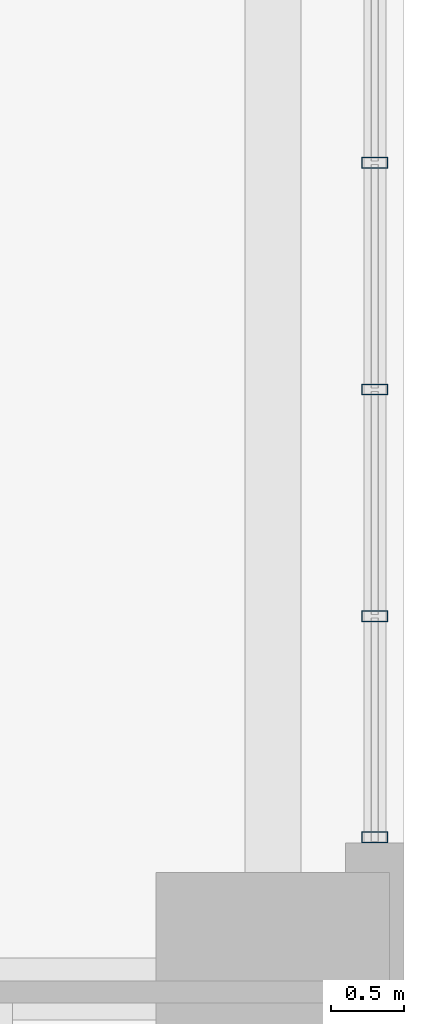
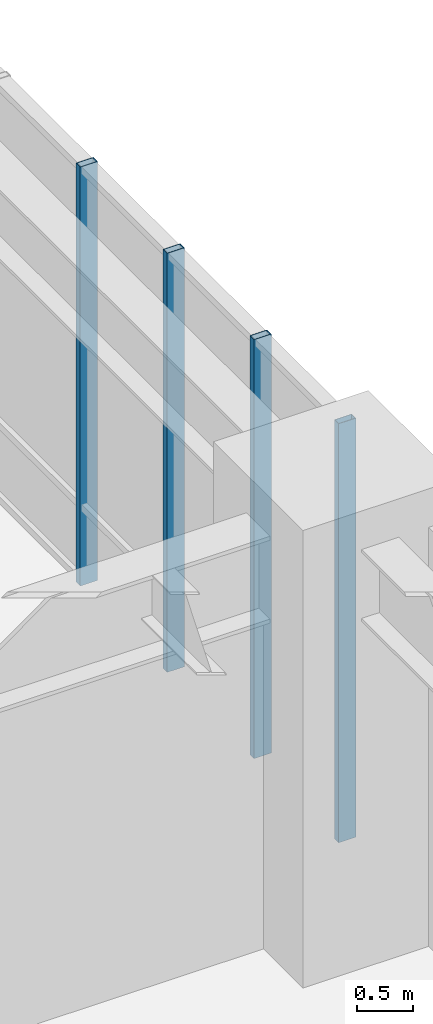
# One storey, part 8 of 18: 4 members, 1 element without a shape of its own.
"""IFC4 building model written with IfcOpenShell, lengths in metres."""

from ifc_helpers import new_model, si_unit, direction, frame, origin, origin_2d, place, context, subcontext, project, spatial, hollow_rectangle, extrude, material, layer, layer_set, material_profile, profile_set, type_object, element, aggregate, save


model = new_model("IFC4")

# Units and contexts
model_context = context("Model", 3, precision=1e-05, world=origin(), true_north=direction((0.0, 1.0)))
body_context = subcontext(model_context, "Body", "Model", "MODEL_VIEW")
ifc_project = project(units=[si_unit("LENGTHUNIT", "METRE"), si_unit("AREAUNIT", "SQUARE_METRE"), si_unit("VOLUMEUNIT", "CUBIC_METRE"), si_unit("PLANEANGLEUNIT", "RADIAN"), si_unit("MASSUNIT", "GRAM", prefix="KILO"), si_unit("THERMODYNAMICTEMPERATUREUNIT", "KELVIN"), si_unit("POWERUNIT", "WATT")], contexts=[model_context])

# Site, building, storey
site_placement = place(None, origin())
site = spatial("IfcSite", under=ifc_project, at=site_placement, CompositionType="ELEMENT")
building_placement = place(site_placement, origin())
building = spatial("IfcBuilding", under=site, at=building_placement, Name="Skarre Station Tower", CompositionType="ELEMENT")
storey_placement = place(building_placement, frame((0.0, 0.0, 16.0)))
storey = spatial("IfcBuildingStorey", under=building, at=storey_placement, Name="L04", CompositionType="ELEMENT", Elevation=16.0)

# Curtain wall, members
ifc_material_1 = material(Name="Thermally Broken Bronze-Anodized Aluminium & Triple Low-E Glass", Category="aluminium")
ifc_layer = layer(ifc_material_1, 0.199951171875, Name="Thermally Broken Bronze-Anodized Aluminium & Triple Low-E Glass")
ifc_layer_set = layer_set([ifc_layer], Name="Thermally Broken Bronze-Anodized Aluminium & Triple Low-E Glass")
curtain_wall_type = type_object("IfcCurtainWallType", Name="Podium Transit Arcade Stick Curtain Wall", PredefinedType="NOTDEFINED", material=ifc_layer_set)
curtain_wall_placement = place(storey_placement, origin())
curtain_wall = element("IfcCurtainWall", 1, at=curtain_wall_placement, inside=storey, type_object=curtain_wall_type, Name="L04 East Forum Clerestory Curtain Wall", PredefinedType="NOTDEFINED")
ifc_material_2 = material(Name="Anodized Aluminium 6063-T6", Category="aluminium")
ifc_material_profile = material_profile(ifc_material_2, hollow_rectangle(XDim=0.074951171875, YDim=0.179931640625, WallThickness=0.00390625, at=origin_2d()), Name="Anodized Aluminium 6063-T6")
ifc_profile_set = profile_set([ifc_material_profile], Name="Anodized Aluminium 6063-T6")
member_type = type_object("IfcMemberType", Name="Curtain-Wall Unitised Tower Mullion 180x75", PredefinedType="MULLION", material=ifc_profile_set)
member_1_placement = place(storey_placement, frame((71.800048828125, 21.6669921875, 0.0), z_axis=(0.0, 0.0, 1.0), x_axis=(0.0, -1.0, 0.0)))
member_1 = element("IfcMember", 2, at=member_1_placement, type_object=member_type, Name="L04 East Forum Clerestory Curtain Wall Mullion 7", PredefinedType="MULLION", context=body_context, shape_type="SweptSolid", body=[
    extrude(hollow_rectangle(XDim=0.074951171875, YDim=0.179931640625, WallThickness=0.00390625, at=origin_2d()), origin(), (0.0, 0.0, 1.0), 4.580078125),
])
member_2_placement = place(storey_placement, frame((71.800048828125, 20.111083984375, 0.0), z_axis=(0.0, 0.0, 1.0), x_axis=(0.0, -1.0, 0.0)))
member_2 = element("IfcMember", 3, at=member_2_placement, type_object=member_type, Name="L04 East Forum Clerestory Curtain Wall Mullion 8", PredefinedType="MULLION", context=body_context, shape_type="SweptSolid", body=[
    extrude(hollow_rectangle(XDim=0.074951171875, YDim=0.179931640625, WallThickness=0.00390625, at=origin_2d()), origin(), (0.0, 0.0, 1.0), 4.580078125),
])
member_3_placement = place(storey_placement, frame((71.800048828125, 18.555908203125, 0.0), z_axis=(0.0, 0.0, 1.0), x_axis=(0.0, -1.0, 0.0)))
member_3 = element("IfcMember", 4, at=member_3_placement, type_object=member_type, Name="L04 East Forum Clerestory Curtain Wall Mullion 9", PredefinedType="MULLION", context=body_context, shape_type="SweptSolid", body=[
    extrude(hollow_rectangle(XDim=0.074951171875, YDim=0.179931640625, WallThickness=0.00390625, at=origin_2d()), origin(), (0.0, 0.0, 1.0), 4.580078125),
])
member_4_placement = place(storey_placement, frame((71.800048828125, 17.0400390625, 0.0), z_axis=(0.0, 0.0, 1.0), x_axis=(0.0, -1.0, 0.0)))
member_4 = element("IfcMember", 5, at=member_4_placement, type_object=member_type, Name="L04 East Forum Clerestory Curtain Wall Mullion 10", PredefinedType="MULLION", context=body_context, shape_type="SweptSolid", body=[
    extrude(hollow_rectangle(XDim=0.074951171875, YDim=0.179931640625, WallThickness=0.00390625, at=origin_2d()), origin(), (0.0, 0.0, 1.0), 4.580078125),
])
aggregate(curtain_wall, [member_1, member_2, member_3, member_4])

save(model, "model.ifc")
